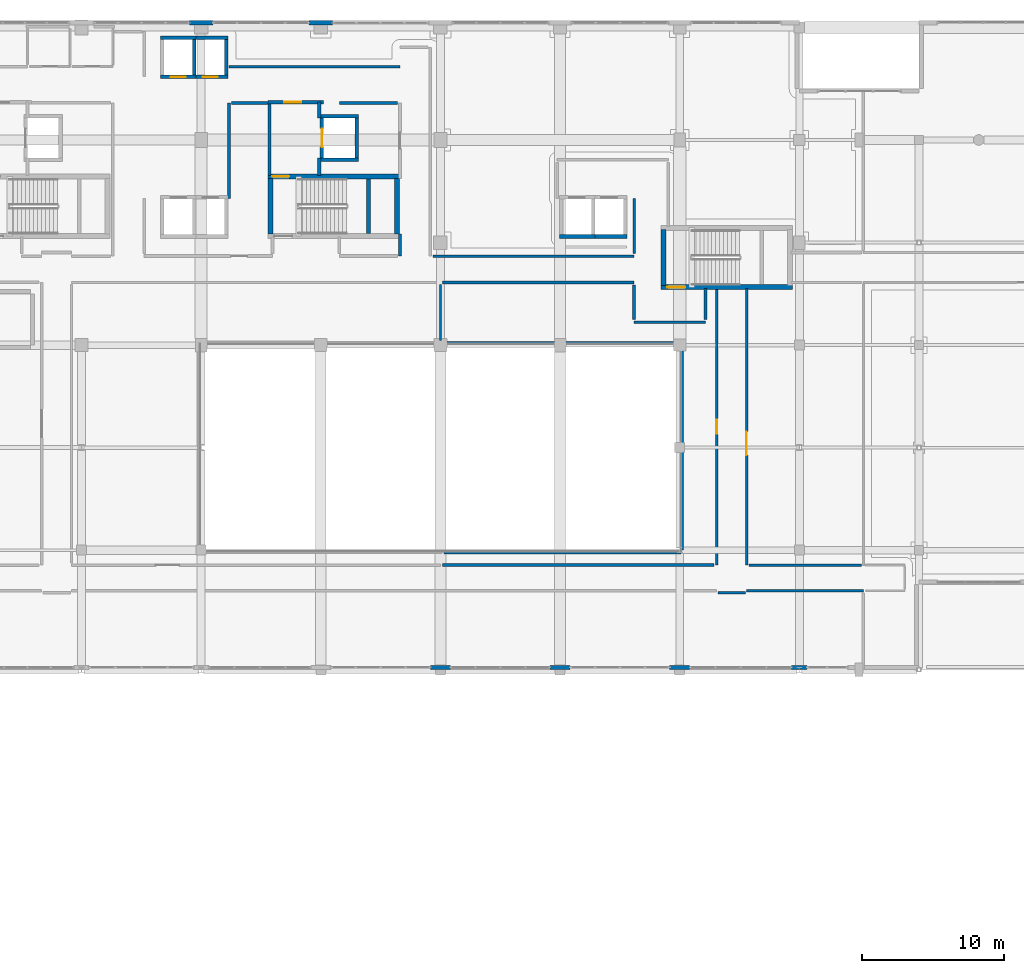
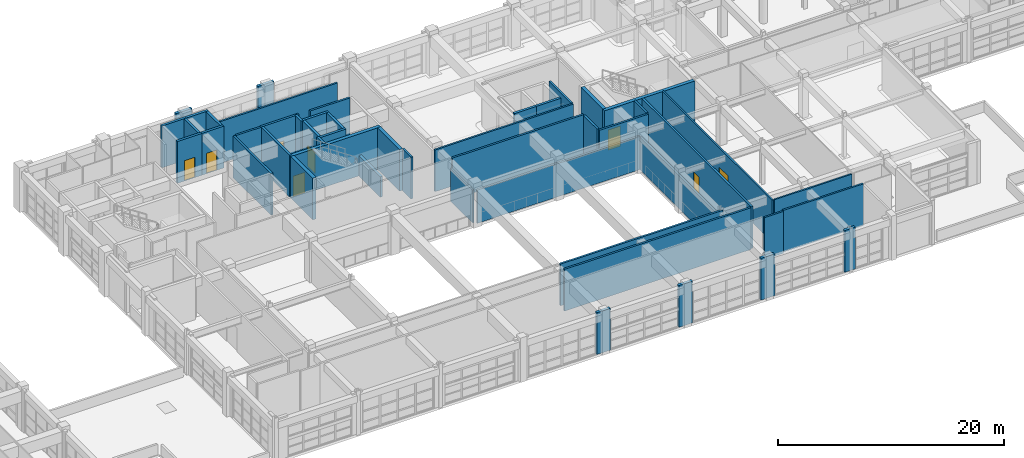
# One storey, part 109 of 123: 49 walls, 8 doors, 8 openings.
"""IFC4 building model written with IfcOpenShell, lengths in metres."""

from ifc_helpers import new_model, si_unit, direction, frame, frame_2d, origin, place, context, subcontext, project, spatial, rectangle, extrude, material, layer, layer_set, type_object, element, fill, save


model = new_model("IFC4")

# Units and contexts
model_context = context("Model", 3, precision=1e-05, world=origin(), true_north=direction((0.0, 1.0)))
body_context = subcontext(model_context, "Body", "Model", "MODEL_VIEW")
ifc_project = project(units=[si_unit("LENGTHUNIT", "METRE"), si_unit("AREAUNIT", "SQUARE_METRE"), si_unit("VOLUMEUNIT", "CUBIC_METRE"), si_unit("PLANEANGLEUNIT", "RADIAN"), si_unit("MASSUNIT", "GRAM", prefix="KILO")], contexts=[model_context])

# Site, building, storey
site_placement = place(None, origin())
site = spatial("IfcSite", under=ifc_project, at=site_placement, CompositionType="ELEMENT")
building_placement = place(site_placement, origin())
building = spatial("IfcBuilding", under=site, at=building_placement, Name="Quendrovan Civic Courthouse", CompositionType="ELEMENT")
storey_placement = place(building_placement, frame((0.0, 0.0, 5.39990234375)))
storey = spatial("IfcBuildingStorey", under=building, at=storey_placement, Name="L02", CompositionType="ELEMENT", Elevation=5.39990234375)

# Wall, opening, door
ifc_material_1 = material(Name="Fire-rated gypsum stud partition")
ifc_layer_1 = layer(ifc_material_1, 0.159912109375, Name="Fire-rated gypsum stud partition")
ifc_layer_set_1 = layer_set([ifc_layer_1], Name="Fire-rated gypsum stud partition")
wall_type_1 = type_object("IfcWallType", Name="WL-COR-160", PredefinedType="PARTITIONING", material=ifc_layer_set_1)
wall_1_placement = place(storey_placement, frame((88.699951171875, 72.14990234375, 0.0), z_axis=(0.0, 0.0, 1.0), x_axis=(0.0, 1.0, 0.0)))
wall_1 = element("IfcWall", 1, at=wall_1_placement, inside=storey, type_object=wall_type_1, Name="L02 Probate Case Registry Office Partition 0309", PredefinedType="PARTITIONING", context=body_context, shape_type="SweptSolid", body=[
    extrude(rectangle(XDim=19.43017578125, YDim=0.159912109375, at=frame_2d((9.715087890625, 0.0))), origin(), (0.0, 0.0, 1.0), 4.52001953125),
])
opening_1_placement = place(wall_1_placement, frame((7.729248046875, 0.0, 0.0)))
opening_1 = element("IfcOpeningElement", 2, at=opening_1_placement, cuts=wall_1, Name="Opening D-L02-051", PredefinedType="OPENING", context=body_context, shape_type="SweptSolid", body=[
    extrude(rectangle(XDim=1.639892578125, YDim=2.419921875, at=frame_2d((0.81982421875, 1.2099609375))), frame((0.0, 0.08984375, 0.0), z_axis=(0.0, -1.0, 0.0), x_axis=(1.0, 0.0, 0.0)), (0.0, 0.0, 1.0), 0.179931640625),
])
ifc_material_2 = material(Name="Bronze-anodised aluminium glazed door", Category="aluminium")
door_type_1 = type_object("IfcDoorType", Name="DR-REG-1640", OperationType="NOTDEFINED", PredefinedType="DOOR", material=ifc_material_2)
door_1_placement = place(opening_1_placement, origin())
door_1 = element("IfcDoor", 3, at=door_1_placement, inside=storey, type_object=door_type_1, Name="L02 Probate Case Registry Office Door D-L02-051", OperationType="SINGLE_SWING_RIGHT", OverallHeight=2.419921875, OverallWidth=1.639892578125, PredefinedType="DOOR", context=body_context, shape_type="SweptSolid", body=[
    extrude(rectangle(XDim=1.639892578125, YDim=2.419921875, at=frame_2d((0.81982421875, 1.2099609375))), frame((0.0, 0.02490234375, 0.0), z_axis=(0.0, -1.0, 0.0), x_axis=(1.0, 0.0, 0.0)), (0.0, 0.0, 1.0), 0.050048828125),
])
fill(opening_1, door_1)

# Walls
wall_2_placement = place(storey_placement, frame((96.77001953125, 72.14990234375, 0.0), z_axis=(0.0, 0.0, 1.0), x_axis=(-1.0, 0.0, 0.0)))
element("IfcWall", 4, at=wall_2_placement, inside=storey, type_object=wall_type_1, Name="L02 Probate Case Registry Office Partition 0340", PredefinedType="PARTITIONING", context=body_context, shape_type="SweptSolid", body=[
    extrude(rectangle(XDim=7.909912109375, YDim=0.159912109375, at=frame_2d((3.955078125, 0.0))), origin(), (0.0, 0.0, 1.0), 4.52001953125),
])
wall_3_placement = place(storey_placement, frame((67.199951171875, 91.840087890625, 0.0), z_axis=(0.0, 0.0, 1.0), x_axis=(0.0, -1.0, 0.0)))
element("IfcWall", 5, at=wall_3_placement, inside=storey, type_object=wall_type_1, Name="L02 Family and Probate Case Registry Partition 0362", PredefinedType="PARTITIONING", context=body_context, shape_type="SweptSolid", body=[
    extrude(rectangle(XDim=3.920166015625, YDim=0.159912109375, at=frame_2d((1.9599609375, 0.0))), origin(), (0.0, 0.0, 1.0), 3.550048828125),
])

# Wall, opening, door
ifc_material_3 = material(Name="Concrete C45/55", Category="concrete")
ifc_layer_2 = layer(ifc_material_3, 0.35009765625, Name="Concrete C45/55")
ifc_layer_set_2 = layer_set([ifc_layer_2], Name="Concrete C45/55")
wall_type_2 = type_object("IfcWallType", Name="WL-CORE-350", PredefinedType="SHEAR", material=ifc_layer_set_2)
wall_4_placement = place(storey_placement, frame((64.31005859375, 99.43505859375, 0.0), z_axis=(0.0, 0.0, 1.0), x_axis=(-1.0, 0.0, 0.0)))
wall_4 = element("IfcWall", 6, at=wall_4_placement, inside=storey, type_object=wall_type_2, Name="L02 Core Shear Wall ST2-N", PredefinedType="SHEAR", context=body_context, shape_type="SweptSolid", body=[
    extrude(rectangle(XDim=9.219970703125, YDim=0.35009765625, at=frame_2d((4.60986328125, 0.0))), origin(), (0.0, 0.0, 1.0), 4.52001953125),
])
opening_2_placement = place(wall_4_placement, frame((7.719970703125, 0.0, 0.0)))
opening_2 = element("IfcOpeningElement", 7, at=opening_2_placement, cuts=wall_4, Name="Opening DFF-ST2-L02", PredefinedType="OPENING", context=body_context, shape_type="SweptSolid", body=[
    extrude(rectangle(XDim=1.199951171875, YDim=2.199951171875, at=frame_2d((0.60009765625, 1.10009765625))), frame((0.0, 0.18505859375, 0.0), z_axis=(0.0, -1.0, 0.0), x_axis=(1.0, 0.0, 0.0)), (0.0, 0.0, 1.0), 0.3701171875),
])
ifc_material_4 = material(Name="Painted galvanized hollow-metal steel", Category="steel")
door_type_2 = type_object("IfcDoorType", Name="DR-FFLOB-1200", OperationType="NOTDEFINED", PredefinedType="DOOR", material=ifc_material_4)
door_2_placement = place(opening_2_placement, origin())
door_2 = element("IfcDoor", 8, at=door_2_placement, inside=storey, type_object=door_type_2, Name="L02 Firefighting Lobby FL2 Direct Stair ST2 Door", OperationType="SINGLE_SWING_RIGHT", OverallHeight=2.199951171875, OverallWidth=1.199951171875, PredefinedType="DOOR", context=body_context, shape_type="SweptSolid", body=[
    extrude(rectangle(XDim=1.199951171875, YDim=2.199951171875, at=frame_2d((0.60009765625, 1.10009765625))), frame((0.0, 0.02490234375, 0.0), z_axis=(0.0, -1.0, 0.0), x_axis=(1.0, 0.0, 0.0)), (0.0, 0.0, 1.0), 0.050048828125),
])
fill(opening_2, door_2)

# Walls
for number, where, z_axis, x_axis, name in (
    (9, (55.264892578125, 95.39990234375, 0.0), (0.0, 0.0, 1.0), (0.0, 1.0, 0.0), "L02 Core Shear Wall ST2-W"),
    (10, (64.135009765625, 99.300048828125, 0.0), (0.0, 0.0, 1.0), (0.0, -1.0, 0.0), "L02 Core Shear Wall ST2-E"),
):
    element("IfcWall", number, at=place(storey_placement, frame(where, z_axis=z_axis, x_axis=x_axis)), inside=storey, type_object=wall_type_2, Name=name, PredefinedType="SHEAR", context=body_context, shape_type="SweptSolid", body=[
        extrude(rectangle(XDim=3.900146484375, YDim=0.35009765625, at=frame_2d((1.9501953125, 0.0))), origin(), (0.0, 0.0, 1.0), 4.52001953125),
    ])

# Wall, opening, door
wall_5_placement = place(storey_placement, frame((82.68994140625, 91.6650390625, 0.0), z_axis=(0.0, 0.0, 1.0), x_axis=(1.0, 0.0, 0.0)))
wall_5 = element("IfcWall", 11, at=wall_5_placement, inside=storey, type_object=wall_type_2, Name="L02 Core Shear Wall ST3-S", PredefinedType="SHEAR", context=body_context, shape_type="SweptSolid", body=[
    extrude(rectangle(XDim=9.219970703125, YDim=0.35009765625, at=frame_2d((4.60986328125, 0.0))), origin(), (0.0, 0.0, 1.0), 4.52001953125),
])
opening_3_placement = place(wall_5_placement, frame((0.449951171875, 0.0, 0.0)))
opening_3 = element("IfcOpeningElement", 12, at=opening_3_placement, cuts=wall_5, Name="Opening DS-ST3-L02", PredefinedType="OPENING", context=body_context, shape_type="SweptSolid", body=[
    extrude(rectangle(XDim=1.25, YDim=2.199951171875, at=frame_2d((0.625, 1.10009765625))), frame((0.0, 0.18505859375, 0.0), z_axis=(0.0, -1.0, 0.0), x_axis=(1.0, 0.0, 0.0)), (0.0, 0.0, 1.0), 0.3701171875),
])
door_type_3 = type_object("IfcDoorType", Name="DR-STAIR-1250", OperationType="NOTDEFINED", PredefinedType="DOOR", material=ifc_material_4)
door_3_placement = place(opening_3_placement, origin())
door_3 = element("IfcDoor", 13, at=door_3_placement, inside=storey, type_object=door_type_3, Name="L02 Exit Stair ST3 Fire Door", OperationType="SINGLE_SWING_RIGHT", OverallHeight=2.199951171875, OverallWidth=1.25, PredefinedType="DOOR", context=body_context, shape_type="SweptSolid", body=[
    extrude(rectangle(XDim=1.25, YDim=2.199951171875, at=frame_2d((0.625, 1.10009765625))), frame((0.0, 0.02490234375, 0.0), z_axis=(0.0, -1.0, 0.0), x_axis=(1.0, 0.0, 0.0)), (0.0, 0.0, 1.0), 0.050048828125),
])
fill(opening_3, door_3)

# Walls
wall_6_placement = place(storey_placement, frame((82.864990234375, 91.800048828125, 0.0), z_axis=(0.0, 0.0, 1.0), x_axis=(0.0, 1.0, 0.0)))
element("IfcWall", 14, at=wall_6_placement, inside=storey, type_object=wall_type_2, Name="L02 Core Shear Wall ST3-W", PredefinedType="SHEAR", context=body_context, shape_type="SweptSolid", body=[
    extrude(rectangle(XDim=3.89990234375, YDim=0.35009765625, at=frame_2d((1.949951171875, 0.0))), origin(), (0.0, 0.0, 1.0), 4.52001953125),
])
ifc_material_5 = material(Name="Acoustic gypsum and mineral wool partition")
ifc_layer_3 = layer(ifc_material_5, 0.179931640625, Name="Acoustic gypsum and mineral wool partition")
ifc_layer_set_3 = layer_set([ifc_layer_3], Name="Acoustic gypsum and mineral wool partition")
wall_type_3 = type_object("IfcWallType", Name="WL-CRT-AC180", PredefinedType="PARTITIONING", material=ifc_layer_set_3)
wall_7_placement = place(storey_placement, frame((80.800048828125, 93.85009765625, 0.0), z_axis=(0.0, 0.0, 1.0), x_axis=(-1.0, 0.0, 0.0)))
element("IfcWall", 15, at=wall_7_placement, inside=storey, type_object=wall_type_3, Name="L02 Trial Courtroom Partition 0325", PredefinedType="PARTITIONING", context=body_context, shape_type="SweptSolid", body=[
    extrude(rectangle(XDim=14.130126953125, YDim=0.179931640625, at=frame_2d((7.06494140625, 0.0))), origin(), (0.0, 0.0, 1.0), 4.52001953125),
])
wall_8_placement = place(storey_placement, frame((64.35009765625, 107.14990234375, 0.0), z_axis=(0.0, 0.0, 1.0), x_axis=(-1.0, 0.0, 0.0)))
element("IfcWall", 16, at=wall_8_placement, inside=storey, type_object=wall_type_3, Name="L02 Trial Courtroom Partition 0330", PredefinedType="PARTITIONING", context=body_context, shape_type="SweptSolid", body=[
    extrude(rectangle(XDim=12.0, YDim=0.179931640625, at=frame_2d((6.0, 0.0))), origin(), (0.0, 0.0, 1.0), 4.52001953125),
])
wall_9_placement = place(storey_placement, frame((88.699951171875, 70.35009765625, 0.0), z_axis=(0.0, 0.0, 1.0), x_axis=(1.0, 0.0, 0.0)))
element("IfcWall", 17, at=wall_9_placement, inside=storey, type_object=wall_type_3, Name="L02 Trial Courtroom Partition 0339", PredefinedType="PARTITIONING", context=body_context, shape_type="SweptSolid", body=[
    extrude(rectangle(XDim=8.199951171875, YDim=0.179931640625, at=frame_2d((4.10009765625, 0.0))), origin(), (0.0, 0.0, 1.0), 4.52001953125),
])
wall_10_placement = place(storey_placement, frame((80.800048828125, 97.89990234375, 0.0), z_axis=(0.0, 0.0, 1.0), x_axis=(0.0, -1.0, 0.0)))
element("IfcWall", 18, at=wall_10_placement, inside=storey, type_object=wall_type_3, Name="L02 Trial Courtroom Partition 0368", PredefinedType="PARTITIONING", context=body_context, shape_type="SweptSolid", body=[
    extrude(rectangle(XDim=3.8798828125, YDim=0.179931640625, at=frame_2d((1.93994140625, 0.0))), origin(), (0.0, 0.0, 1.0), 4.52001953125),
])
wall_11_placement = place(storey_placement, frame((86.679931640625, 70.199951171875, 0.0), z_axis=(0.0, 0.0, 1.0), x_axis=(1.0, 0.0, 0.0)))
element("IfcWall", 19, at=wall_11_placement, inside=storey, type_object=wall_type_3, Name="L02 Trial Courtroom Partition 0403", PredefinedType="PARTITIONING", context=body_context, shape_type="SweptSolid", body=[
    extrude(rectangle(XDim=1.940185546875, YDim=0.179931640625, at=frame_2d((0.97021484375, 0.0))), origin(), (0.0, 0.0, 1.0), 4.52001953125),
])

# Wall, opening, door
ifc_material_6 = material(Name="Concrete C40/50", Category="concrete")
ifc_layer_4 = layer(ifc_material_6, 0.199951171875, Name="Concrete C40/50")
ifc_layer_set_4 = layer_set([ifc_layer_4], Name="Concrete C40/50")
wall_type_4 = type_object("IfcWallType", Name="WL-CUST-200", PredefinedType="PARTITIONING", material=ifc_layer_set_4)
wall_12_placement = place(storey_placement, frame((86.60009765625, 91.580078125, 0.0), z_axis=(0.0, 0.0, 1.0), x_axis=(0.0, -1.0, 0.0)))
wall_12 = element("IfcWall", 20, at=wall_12_placement, inside=storey, type_object=wall_type_4, Name="L02 Custody Holding Cell Partition 0308", PredefinedType="PARTITIONING", context=body_context, shape_type="SweptSolid", body=[
    extrude(rectangle(XDim=19.43017578125, YDim=0.199951171875, at=frame_2d((9.715087890625, 0.0))), origin(), (0.0, 0.0, 1.0), 4.52001953125),
])
opening_4_placement = place(wall_12_placement, frame((9.22509765625, 0.0, 0.0)))
opening_4 = element("IfcOpeningElement", 21, at=opening_4_placement, cuts=wall_12, Name="Opening D-L02-050", PredefinedType="OPENING", context=body_context, shape_type="SweptSolid", body=[
    extrude(rectangle(XDim=0.97998046875, YDim=2.1201171875, at=frame_2d((0.489990234375, 1.06005859375))), frame((0.0, 0.10986328125, 0.0), z_axis=(0.0, -1.0, 0.0), x_axis=(1.0, 0.0, 0.0)), (0.0, 0.0, 1.0), 0.219970703125),
])
ifc_material_7 = material(Name="Heavy-gauge security steel door", Category="steel")
door_type_4 = type_object("IfcDoorType", Name="DR-CELL-980", OperationType="NOTDEFINED", PredefinedType="DOOR", material=ifc_material_7)
door_4_placement = place(opening_4_placement, origin())
door_4 = element("IfcDoor", 22, at=door_4_placement, inside=storey, type_object=door_type_4, Name="L02 Custody Holding Cell Door D-L02-050", OperationType="SINGLE_SWING_LEFT", OverallHeight=2.1201171875, OverallWidth=0.97998046875, PredefinedType="DOOR", context=body_context, shape_type="SweptSolid", body=[
    extrude(rectangle(XDim=0.97998046875, YDim=2.1201171875, at=frame_2d((0.489990234375, 1.06005859375))), frame((0.0, 0.02490234375, 0.0), z_axis=(0.0, -1.0, 0.0), x_axis=(1.0, 0.0, 0.0)), (0.0, 0.0, 1.0), 0.050048828125),
])
fill(opening_4, door_4)

# Walls
wall_13_placement = place(storey_placement, frame((86.419921875, 72.14990234375, 0.0), z_axis=(0.0, 0.0, 1.0), x_axis=(-1.0, 0.0, 0.0)))
element("IfcWall", 23, at=wall_13_placement, inside=storey, type_object=wall_type_4, Name="L02 Custody Holding Cell Partition 0310", PredefinedType="PARTITIONING", context=body_context, shape_type="SweptSolid", body=[
    extrude(rectangle(XDim=19.059814453125, YDim=0.199951171875, at=frame_2d((9.52978515625, 0.0))), origin(), (0.0, 0.0, 1.0), 4.52001953125),
])
wall_14_placement = place(storey_placement, frame((67.4599609375, 73.0400390625, 0.0), z_axis=(0.0, 0.0, 1.0), x_axis=(1.0, 0.0, 0.0)))
element("IfcWall", 24, at=wall_14_placement, inside=storey, type_object=wall_type_4, Name="L02 Custody Holding Cell Partition 0313", PredefinedType="PARTITIONING", context=body_context, shape_type="SweptSolid", body=[
    extrude(rectangle(XDim=16.64013671875, YDim=0.199951171875, at=frame_2d((8.320068359375, 0.0))), origin(), (0.0, 0.0, 1.0), 4.52001953125),
])
wall_15_placement = place(storey_placement, frame((84.10009765625, 87.760009765625, 0.0), z_axis=(0.0, 0.0, 1.0), x_axis=(-1.0, 0.0, 0.0)))
element("IfcWall", 25, at=wall_15_placement, inside=storey, type_object=wall_type_4, Name="L02 Custody Holding Cell Partition 0314", PredefinedType="PARTITIONING", context=body_context, shape_type="SweptSolid", body=[
    extrude(rectangle(XDim=16.64013671875, YDim=0.199951171875, at=frame_2d((8.320068359375, 0.0))), origin(), (0.0, 0.0, 1.0), 3.592041015625),
])
wall_16_placement = place(storey_placement, frame((84.159912109375, 73.20947265625, 0.0), z_axis=(0.0, 0.0, 1.0), x_axis=(0.0, 1.0, 0.0)))
element("IfcWall", 26, at=wall_16_placement, inside=storey, type_object=wall_type_4, Name="L02 Custody Holding Cell Partition 0322", PredefinedType="PARTITIONING", context=body_context, shape_type="SweptSolid", body=[
    extrude(rectangle(XDim=14.381103515625, YDim=0.199951171875, at=frame_2d((7.1904296875, 0.0))), origin(), (0.0, 0.0, 1.0), 3.550048828125),
])
wall_17_placement = place(storey_placement, frame((67.360107421875, 92.0, 0.0), z_axis=(0.0, 0.0, 1.0), x_axis=(1.0, 0.0, 0.0)))
element("IfcWall", 27, at=wall_17_placement, inside=storey, type_object=wall_type_4, Name="L02 Custody Holding Cell Partition 0328", PredefinedType="PARTITIONING", context=body_context, shape_type="SweptSolid", body=[
    extrude(rectangle(XDim=13.43994140625, YDim=0.199951171875, at=frame_2d((6.719970703125, 0.0))), origin(), (0.0, 0.0, 1.0), 4.52001953125),
])
wall_18_placement = place(storey_placement, frame((64.35009765625, 95.39990234375, 0.0), z_axis=(0.0, 0.0, 1.0), x_axis=(0.0, -1.0, 0.0)))
element("IfcWall", 28, at=wall_18_placement, inside=storey, type_object=wall_type_4, Name="L02 Case Docketing and Clerk Suite Partition 0335", PredefinedType="PARTITIONING", context=body_context, shape_type="SweptSolid", body=[
    extrude(rectangle(XDim=1.5498046875, YDim=0.199951171875, at=frame_2d((0.77490234375, 0.0))), origin(), (0.0, 0.0, 1.0), 4.52001953125),
])
wall_19_placement = place(storey_placement, frame((52.35009765625, 97.89990234375, 0.0), z_axis=(0.0, 0.0, 1.0), x_axis=(0.0, 1.0, 0.0)))
element("IfcWall", 29, at=wall_19_placement, inside=storey, type_object=wall_type_4, Name="L02 Civil Case Docketing Office Partition 0342", PredefinedType="PARTITIONING", context=body_context, shape_type="SweptSolid", body=[
    extrude(rectangle(XDim=6.7001953125, YDim=0.199951171875, at=frame_2d((3.35009765625, 0.0))), origin(), (0.0, 0.0, 1.0), 4.52001953125),
])
wall_20_placement = place(storey_placement, frame((80.800048828125, 89.199951171875, 0.0), z_axis=(0.0, 0.0, 1.0), x_axis=(1.0, 0.0, 0.0)))
element("IfcWall", 30, at=wall_20_placement, inside=storey, type_object=wall_type_4, Name="L02 Custody Holding Cell Partition 0357", PredefinedType="PARTITIONING", context=body_context, shape_type="SweptSolid", body=[
    extrude(rectangle(XDim=5.0, YDim=0.199951171875, at=frame_2d((2.5, 0.0))), origin(), (0.0, 0.0, 1.0), 4.52001953125),
])
wall_21_placement = place(storey_placement, frame((60.10009765625, 104.60009765625, 0.0), z_axis=(0.0, 0.0, 1.0), x_axis=(1.0, 0.0, 0.0)))
element("IfcWall", 31, at=wall_21_placement, inside=storey, type_object=wall_type_4, Name="L02 Case Docketing and Clerk Suite Partition 0364", PredefinedType="PARTITIONING", context=body_context, shape_type="SweptSolid", body=[
    extrude(rectangle(XDim=4.06982421875, YDim=0.199951171875, at=frame_2d((2.034912109375, 0.0))), origin(), (0.0, 0.0, 1.0), 4.52001953125),
])
wall_22_placement = place(storey_placement, frame((80.800048828125, 91.820068359375, 0.0), z_axis=(0.0, 0.0, 1.0), x_axis=(0.0, -1.0, 0.0)))
element("IfcWall", 32, at=wall_22_placement, inside=storey, type_object=wall_type_4, Name="L02 Custody Holding Cell Partition 0388", PredefinedType="PARTITIONING", context=body_context, shape_type="SweptSolid", body=[
    extrude(rectangle(XDim=2.440185546875, YDim=0.199951171875, at=frame_2d((1.22021484375, 0.0))), origin(), (0.0, 0.0, 1.0), 4.52001953125),
])
wall_23_placement = place(storey_placement, frame((52.530029296875, 104.60009765625, 0.0), z_axis=(0.0, 0.0, 1.0), x_axis=(1.0, 0.0, 0.0)))
element("IfcWall", 33, at=wall_23_placement, inside=storey, type_object=wall_type_4, Name="L02 Civil Case Docketing Office Partition 0391", PredefinedType="PARTITIONING", context=body_context, shape_type="SweptSolid", body=[
    extrude(rectangle(XDim=2.550048828125, YDim=0.199951171875, at=frame_2d((1.27490234375, 0.0))), origin(), (0.0, 0.0, 1.0), 4.52001953125),
])
wall_24_placement = place(storey_placement, frame((85.800048828125, 89.3798828125, 0.0), z_axis=(0.0, 0.0, 1.0), x_axis=(0.0, 1.0, 0.0)))
element("IfcWall", 34, at=wall_24_placement, inside=storey, type_object=wall_type_4, Name="L02 Custody Holding Cell Partition 0395", PredefinedType="PARTITIONING", context=body_context, shape_type="SweptSolid", body=[
    extrude(rectangle(XDim=2.2001953125, YDim=0.199951171875, at=frame_2d((1.10009765625, 0.0))), origin(), (0.0, 0.0, 1.0), 4.52001953125),
])
ifc_material_8 = material(Name="Precast concrete C45/55", Category="concrete")
ifc_layer_5 = layer(ifc_material_8, 0.2900390625, Name="Precast concrete C45/55")
ifc_layer_set_5 = layer_set([ifc_layer_5], Name="Precast concrete C45/55")
wall_type_5 = type_object("IfcWallType", Name="WL-EXT-PC290", PredefinedType="SOLIDWALL", material=ifc_layer_set_5)
wall_25_placement = place(storey_placement, frame((49.574951171875, 110.235107421875, 0.0), z_axis=(0.0, 0.0, 1.0), x_axis=(1.0, 0.0, 0.0)))
element("IfcWall", 35, at=wall_25_placement, inside=storey, type_object=wall_type_5, Name="L02 Exterior Pier Wall 204", PredefinedType="SOLIDWALL", context=body_context, shape_type="SweptSolid", body=[
    extrude(rectangle(XDim=1.650146484375, YDim=0.2900390625, at=frame_2d((0.8251953125, 0.0))), origin(), (0.0, 0.0, 1.0), 4.52001953125),
])
wall_26_placement = place(storey_placement, frame((57.97509765625, 110.235107421875, 0.0), z_axis=(0.0, 0.0, 1.0), x_axis=(1.0, 0.0, 0.0)))
element("IfcWall", 36, at=wall_26_placement, inside=storey, type_object=wall_type_5, Name="L02 Exterior Pier Wall 205", PredefinedType="SOLIDWALL", context=body_context, shape_type="SweptSolid", body=[
    extrude(rectangle(XDim=1.64990234375, YDim=0.2900390625, at=frame_2d((0.824951171875, 0.0))), origin(), (0.0, 0.0, 1.0), 4.52001953125),
])
wall_27_placement = place(storey_placement, frame((92.93701171875, 64.965087890625, 0.0), z_axis=(0.0, 0.0, 1.0), x_axis=(-1.0, 0.0, 0.0)))
element("IfcWall", 37, at=wall_27_placement, inside=storey, type_object=wall_type_5, Name="L02 Exterior Pier Wall 238", PredefinedType="SOLIDWALL", context=body_context, shape_type="SweptSolid", body=[
    extrude(rectangle(XDim=1.073974609375, YDim=0.2900390625, at=frame_2d((0.537109375, 0.0))), origin(), (0.0, 0.0, 1.0), 4.52001953125),
])
wall_28_placement = place(storey_placement, frame((84.699951171875, 64.965087890625, 0.0), z_axis=(0.0, 0.0, 1.0), x_axis=(-1.0, 0.0, 0.0)))
element("IfcWall", 38, at=wall_28_placement, inside=storey, type_object=wall_type_5, Name="L02 Exterior Pier Wall 239", PredefinedType="SOLIDWALL", context=body_context, shape_type="SweptSolid", body=[
    extrude(rectangle(XDim=1.39990234375, YDim=0.2900390625, at=frame_2d((0.699951171875, 0.0))), origin(), (0.0, 0.0, 1.0), 4.52001953125),
])
wall_29_placement = place(storey_placement, frame((76.300048828125, 64.965087890625, 0.0), z_axis=(0.0, 0.0, 1.0), x_axis=(-1.0, 0.0, 0.0)))
element("IfcWall", 39, at=wall_29_placement, inside=storey, type_object=wall_type_5, Name="L02 Exterior Pier Wall 240", PredefinedType="SOLIDWALL", context=body_context, shape_type="SweptSolid", body=[
    extrude(rectangle(XDim=1.400146484375, YDim=0.2900390625, at=frame_2d((0.7001953125, 0.0))), origin(), (0.0, 0.0, 1.0), 4.52001953125),
])
wall_30_placement = place(storey_placement, frame((67.89990234375, 64.965087890625, 0.0), z_axis=(0.0, 0.0, 1.0), x_axis=(-1.0, 0.0, 0.0)))
element("IfcWall", 40, at=wall_30_placement, inside=storey, type_object=wall_type_5, Name="L02 Exterior Pier Wall 241", PredefinedType="SOLIDWALL", context=body_context, shape_type="SweptSolid", body=[
    extrude(rectangle(XDim=1.39990234375, YDim=0.2900390625, at=frame_2d((0.699951171875, 0.0))), origin(), (0.0, 0.0, 1.0), 4.52001953125),
])

# Wall, opening, door
ifc_layer_6 = layer(ifc_material_6, 0.22998046875, Name="Concrete C40/50")
ifc_layer_set_6 = layer_set([ifc_layer_6], Name="Concrete C40/50")
wall_type_6 = type_object("IfcWallType", Name="WL-FFLOB-230", PredefinedType="PARTITIONING", material=ifc_layer_set_6)
wall_31_placement = place(storey_placement, frame((55.090087890625, 104.64990234375, 0.0), z_axis=(0.0, 0.0, 1.0), x_axis=(1.0, 0.0, 0.0)))
wall_31 = element("IfcWall", 41, at=wall_31_placement, inside=storey, type_object=wall_type_6, Name="L02 Firefighting Lift Lobby FL2 Wall N", PredefinedType="PARTITIONING", context=body_context, shape_type="SweptSolid", body=[
    extrude(rectangle(XDim=3.889892578125, YDim=0.22998046875, at=frame_2d((1.94482421875, 0.0))), origin(), (0.0, 0.0, 1.0), 4.52001953125),
])
opening_5_placement = place(wall_31_placement, frame((1.14990234375, 0.0, 0.0)))
opening_5 = element("IfcOpeningElement", 42, at=opening_5_placement, cuts=wall_31, Name="Opening DF-FL2-L02N", PredefinedType="OPENING", context=body_context, shape_type="SweptSolid", body=[
    extrude(rectangle(XDim=1.199951171875, YDim=2.199951171875, at=frame_2d((0.60009765625, 1.10009765625))), frame((0.0, 0.125, 0.0), z_axis=(0.0, -1.0, 0.0), x_axis=(1.0, 0.0, 0.0)), (0.0, 0.0, 1.0), 0.25),
])
door_5_placement = place(opening_5_placement, origin())
door_5 = element("IfcDoor", 43, at=door_5_placement, inside=storey, type_object=door_type_2, Name="L02 Firefighting Lobby FL2 Fire Door N", OperationType="SINGLE_SWING_LEFT", OverallHeight=2.199951171875, OverallWidth=1.199951171875, PredefinedType="DOOR", context=body_context, shape_type="SweptSolid", body=[
    extrude(rectangle(XDim=1.199951171875, YDim=2.199951171875, at=frame_2d((0.60009765625, 1.10009765625))), frame((0.0, 0.02490234375, 0.0), z_axis=(0.0, -1.0, 0.0), x_axis=(1.0, 0.0, 0.0)), (0.0, 0.0, 1.0), 0.050048828125),
])
fill(opening_5, door_5)

# Walls
wall_32_placement = place(storey_placement, frame((55.199951171875, 99.5, 0.0), z_axis=(0.0, 0.0, 1.0), x_axis=(0.0, 1.0, 0.0)))
element("IfcWall", 44, at=wall_32_placement, inside=storey, type_object=wall_type_6, Name="L02 Firefighting Lift Lobby FL2 Wall W", PredefinedType="PARTITIONING", context=body_context, shape_type="SweptSolid", body=[
    extrude(rectangle(XDim=5.260009765625, YDim=0.22998046875, at=frame_2d((2.6298828125, 0.0))), origin(), (0.0, 0.0, 1.0), 4.52001953125),
])
wall_33_placement = place(storey_placement, frame((58.699951171875, 104.64990234375, 0.0), z_axis=(0.0, 0.0, 1.0), x_axis=(0.0, -1.0, 0.0)))
element("IfcWall", 45, at=wall_33_placement, inside=storey, type_object=wall_type_6, Name="L02 Firefighting Lift Lobby FL2 Wall EN", PredefinedType="PARTITIONING", context=body_context, shape_type="SweptSolid", body=[
    extrude(rectangle(XDim=1.099853515625, YDim=0.22998046875, at=frame_2d((0.5498046875, 0.0))), origin(), (0.0, 0.0, 1.0), 4.52001953125),
])
wall_34_placement = place(storey_placement, frame((58.699951171875, 100.75, 0.0), z_axis=(0.0, 0.0, 1.0), x_axis=(0.0, -1.0, 0.0)))
element("IfcWall", 46, at=wall_34_placement, inside=storey, type_object=wall_type_6, Name="L02 Firefighting Lift Lobby FL2 Wall ES", PredefinedType="PARTITIONING", context=body_context, shape_type="SweptSolid", body=[
    extrude(rectangle(XDim=1.25, YDim=0.22998046875, at=frame_2d((0.625, 0.0))), origin(), (0.0, 0.0, 1.0), 4.52001953125),
])
ifc_layer_7 = layer(ifc_material_3, 0.25, Name="Concrete C45/55")
ifc_layer_set_7 = layer_set([ifc_layer_7], Name="Concrete C45/55")
wall_type_7 = type_object("IfcWallType", Name="WL-SHAFT-250", PredefinedType="SHEAR", material=ifc_layer_set_7)
wall_35_placement = place(storey_placement, frame((62.14990234375, 95.449951171875, 0.0), z_axis=(0.0, 0.0, 1.0), x_axis=(0.0, 1.0, 0.0)))
element("IfcWall", 47, at=wall_35_placement, inside=storey, type_object=wall_type_7, Name="L02 Stair ST2 Mid-Landing Bearing Wall", PredefinedType="SHEAR", context=body_context, shape_type="SweptSolid", body=[
    extrude(rectangle(XDim=3.800048828125, YDim=0.25, at=frame_2d((1.89990234375, 0.0))), origin(), (0.0, 0.0, 1.0), 2.22021484375),
])
for number, where, z_axis, x_axis, name in (
    (48, (75.550048828125, 95.22509765625, 0.0), (0.0, 0.0, 1.0), (1.0, 0.0, 0.0), "L02 Lift Hoistway Wall PL1 -Y"),
    (49, (77.800048828125, 95.22509765625, 0.0), (0.0, 0.0, 1.0), (1.0, 0.0, 0.0), "L02 Lift Hoistway Wall PL2 -Y"),
):
    element("IfcWall", number, at=place(storey_placement, frame(where, z_axis=z_axis, x_axis=x_axis)), inside=storey, type_object=wall_type_7, Name=name, PredefinedType="SHEAR", context=body_context, shape_type="SweptSolid", body=[
        extrude(rectangle(XDim=2.5, YDim=0.25, at=frame_2d((1.25, 0.0))), origin(), (0.0, 0.0, 1.0), 4.52001953125),
    ])

# Wall, opening, door
wall_36_placement = place(storey_placement, frame((47.550048828125, 106.425048828125, 0.0), z_axis=(0.0, 0.0, 1.0), x_axis=(1.0, 0.0, 0.0)))
wall_36 = element("IfcWall", 50, at=wall_36_placement, inside=storey, type_object=wall_type_7, Name="L02 Lift Hoistway Wall JL1 -Y", PredefinedType="SHEAR", context=body_context, shape_type="SweptSolid", body=[
    extrude(rectangle(XDim=2.5, YDim=0.25, at=frame_2d((1.25, 0.0))), origin(), (0.0, 0.0, 1.0), 4.52001953125),
])
opening_6_placement = place(wall_36_placement, frame((0.719970703125, 0.0, 0.0)))
opening_6 = element("IfcOpeningElement", 51, at=opening_6_placement, cuts=wall_36, Name="Opening LD-JL1-L02", PredefinedType="OPENING", context=body_context, shape_type="SweptSolid", body=[
    extrude(rectangle(XDim=1.06005859375, YDim=2.199951171875, at=frame_2d((0.530029296875, 1.10009765625))), frame((0.0, 0.135009765625, 0.0), z_axis=(0.0, -1.0, 0.0), x_axis=(1.0, 0.0, 0.0)), (0.0, 0.0, 1.0), 0.27001953125),
])
ifc_material_9 = material(Name="Brushed bronze-anodised stainless steel", Category="steel")
door_type_5 = type_object("IfcDoorType", Name="DR-LIFT-LD-JL", OperationType="NOTDEFINED", PredefinedType="DOOR", material=ifc_material_9)
door_6_placement = place(opening_6_placement, origin())
door_6 = element("IfcDoor", 52, at=door_6_placement, inside=storey, type_object=door_type_5, Name="L02 Lift JL1 Sliding Landing Door", OperationType="SLIDING_TO_LEFT", OverallHeight=2.199951171875, OverallWidth=1.06005859375, PredefinedType="DOOR", context=body_context, shape_type="SweptSolid", body=[
    extrude(rectangle(XDim=1.06005859375, YDim=2.199951171875, at=frame_2d((0.530029296875, 1.10009765625))), frame((0.0, 0.02490234375, 0.0), z_axis=(0.0, -1.0, 0.0), x_axis=(1.0, 0.0, 0.0)), (0.0, 0.0, 1.0), 0.050048828125),
])
fill(opening_6, door_6)

# Walls
for number, where, z_axis, x_axis, name in (
    (53, (50.050048828125, 109.175048828125, 0.0), (0.0, 0.0, 1.0), (-1.0, 0.0, 0.0), "L02 Lift Hoistway Wall JL1 +Y"),
    (54, (49.925048828125, 109.050048828125, 0.0), (0.0, 0.0, 1.0), (0.0, -1.0, 0.0), "L02 Lift Hoistway Wall JL1 +X"),
):
    element("IfcWall", number, at=place(storey_placement, frame(where, z_axis=z_axis, x_axis=x_axis)), inside=storey, type_object=wall_type_7, Name=name, PredefinedType="SHEAR", context=body_context, shape_type="SweptSolid", body=[
        extrude(rectangle(XDim=2.5, YDim=0.25, at=frame_2d((1.25, 0.0))), origin(), (0.0, 0.0, 1.0), 4.52001953125),
    ])

# Wall, opening, door
wall_37_placement = place(storey_placement, frame((49.800048828125, 106.425048828125, 0.0), z_axis=(0.0, 0.0, 1.0), x_axis=(1.0, 0.0, 0.0)))
wall_37 = element("IfcWall", 55, at=wall_37_placement, inside=storey, type_object=wall_type_7, Name="L02 Lift Hoistway Wall JL2 -Y", PredefinedType="SHEAR", context=body_context, shape_type="SweptSolid", body=[
    extrude(rectangle(XDim=2.5, YDim=0.25, at=frame_2d((1.25, 0.0))), origin(), (0.0, 0.0, 1.0), 4.52001953125),
])
opening_7_placement = place(wall_37_placement, frame((0.719970703125, 0.0, 0.0)))
opening_7 = element("IfcOpeningElement", 56, at=opening_7_placement, cuts=wall_37, Name="Opening LD-JL2-L02", PredefinedType="OPENING", context=body_context, shape_type="SweptSolid", body=[
    extrude(rectangle(XDim=1.06005859375, YDim=2.199951171875, at=frame_2d((0.530029296875, 1.10009765625))), frame((0.0, 0.135009765625, 0.0), z_axis=(0.0, -1.0, 0.0), x_axis=(1.0, 0.0, 0.0)), (0.0, 0.0, 1.0), 0.27001953125),
])
door_7_placement = place(opening_7_placement, origin())
door_7 = element("IfcDoor", 57, at=door_7_placement, inside=storey, type_object=door_type_5, Name="L02 Lift JL2 Sliding Landing Door", OperationType="SLIDING_TO_LEFT", OverallHeight=2.199951171875, OverallWidth=1.06005859375, PredefinedType="DOOR", context=body_context, shape_type="SweptSolid", body=[
    extrude(rectangle(XDim=1.06005859375, YDim=2.199951171875, at=frame_2d((0.530029296875, 1.10009765625))), frame((0.0, 0.02490234375, 0.0), z_axis=(0.0, -1.0, 0.0), x_axis=(1.0, 0.0, 0.0)), (0.0, 0.0, 1.0), 0.050048828125),
])
fill(opening_7, door_7)

# Walls
for number, where, z_axis, x_axis, name in (
    (58, (52.300048828125, 109.175048828125, 0.0), (0.0, 0.0, 1.0), (-1.0, 0.0, 0.0), "L02 Lift Hoistway Wall JL2 +Y"),
    (59, (52.175048828125, 109.050048828125, 0.0), (0.0, 0.0, 1.0), (0.0, -1.0, 0.0), "L02 Lift Hoistway Wall JL2 +X"),
):
    element("IfcWall", number, at=place(storey_placement, frame(where, z_axis=z_axis, x_axis=x_axis)), inside=storey, type_object=wall_type_7, Name=name, PredefinedType="SHEAR", context=body_context, shape_type="SweptSolid", body=[
        extrude(rectangle(XDim=2.5, YDim=0.25, at=frame_2d((1.25, 0.0))), origin(), (0.0, 0.0, 1.0), 4.52001953125),
    ])
for number, where, z_axis, x_axis, name in (
    (60, (58.75, 100.625, 0.0), (0.0, 0.0, 1.0), (1.0, 0.0, 0.0), "L02 Lift Hoistway Wall FL2 -Y"),
    (61, (61.449951171875, 103.675048828125, 0.0), (0.0, 0.0, 1.0), (-1.0, 0.0, 0.0), "L02 Lift Hoistway Wall FL2 +Y"),
):
    element("IfcWall", number, at=place(storey_placement, frame(where, z_axis=z_axis, x_axis=x_axis)), inside=storey, type_object=wall_type_7, Name=name, PredefinedType="SHEAR", context=body_context, shape_type="SweptSolid", body=[
        extrude(rectangle(XDim=2.699951171875, YDim=0.25, at=frame_2d((1.35009765625, 0.0))), origin(), (0.0, 0.0, 1.0), 4.52001953125),
    ])

# Wall, opening, door
wall_38_placement = place(storey_placement, frame((58.875, 100.75, 0.0), z_axis=(0.0, 0.0, 1.0), x_axis=(0.0, 1.0, 0.0)))
wall_38 = element("IfcWall", 62, at=wall_38_placement, inside=storey, type_object=wall_type_7, Name="L02 Lift Hoistway Wall FL2 -X", PredefinedType="SHEAR", context=body_context, shape_type="SweptSolid", body=[
    extrude(rectangle(XDim=2.800048828125, YDim=0.25, at=frame_2d((1.39990234375, 0.0))), origin(), (0.0, 0.0, 1.0), 4.52001953125),
])
opening_8_placement = place(wall_38_placement, frame((0.75, 0.0, 0.0)))
opening_8 = element("IfcOpeningElement", 63, at=opening_8_placement, cuts=wall_38, Name="Opening LD-FL2-L02", PredefinedType="OPENING", context=body_context, shape_type="SweptSolid", body=[
    extrude(rectangle(XDim=1.300048828125, YDim=2.25, at=frame_2d((0.64990234375, 1.125))), frame((0.0, 0.135009765625, 0.0), z_axis=(0.0, -1.0, 0.0), x_axis=(1.0, 0.0, 0.0)), (0.0, 0.0, 1.0), 0.27001953125),
])
ifc_material_10 = material(Name="Smoke-tight fire-service stainless steel", Category="steel")
door_type_6 = type_object("IfcDoorType", Name="DR-LIFT-LD-FL", OperationType="NOTDEFINED", PredefinedType="DOOR", material=ifc_material_10)
door_8_placement = place(opening_8_placement, origin())
door_8 = element("IfcDoor", 64, at=door_8_placement, inside=storey, type_object=door_type_6, Name="L02 Lift FL2 Sliding Landing Door", OperationType="SLIDING_TO_LEFT", OverallHeight=2.25, OverallWidth=1.300048828125, PredefinedType="DOOR", context=body_context, shape_type="SweptSolid", body=[
    extrude(rectangle(XDim=1.300048828125, YDim=2.25, at=frame_2d((0.64990234375, 1.125))), frame((0.0, 0.02490234375, 0.0), z_axis=(0.0, -1.0, 0.0), x_axis=(1.0, 0.0, 0.0)), (0.0, 0.0, 1.0), 0.050048828125),
])
fill(opening_8, door_8)

# Wall
wall_39_placement = place(storey_placement, frame((61.324951171875, 103.550048828125, 0.0), z_axis=(0.0, 0.0, 1.0), x_axis=(0.0, -1.0, 0.0)))
element("IfcWall", 65, at=wall_39_placement, inside=storey, type_object=wall_type_7, Name="L02 Lift Hoistway Wall FL2 +X", PredefinedType="SHEAR", context=body_context, shape_type="SweptSolid", body=[
    extrude(rectangle(XDim=2.800048828125, YDim=0.25, at=frame_2d((1.39990234375, 0.0))), origin(), (0.0, 0.0, 1.0), 4.52001953125),
])

save(model, "model.ifc")
